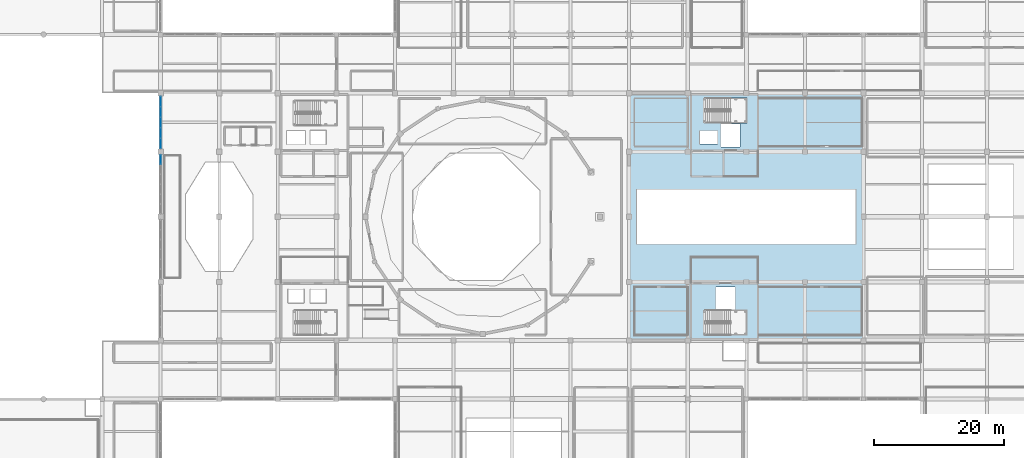
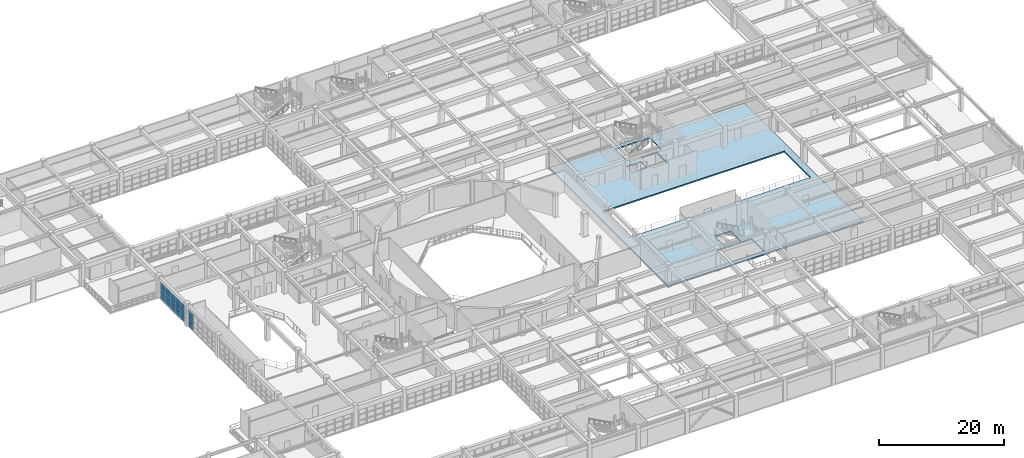
# One storey, part 94 of 133: 18 plates, 1 slab, 2 elements without a shape of their own.
"""IFC4 building model written with IfcOpenShell, lengths in metres."""

from ifc_helpers import new_model, si_unit, direction, frame, origin, origin_2d, place, context, subcontext, project, spatial, polyline, rectangle, outline, extrude, material, layer, layer_set, type_object, element, aggregate, save


model = new_model("IFC4")

# Units and contexts
model_context = context("Model", 3, precision=1e-05, world=origin(), true_north=direction((0.0, 1.0)))
body_context = subcontext(model_context, "Body", "Model", "MODEL_VIEW")
ifc_project = project(units=[si_unit("LENGTHUNIT", "METRE"), si_unit("AREAUNIT", "SQUARE_METRE"), si_unit("VOLUMEUNIT", "CUBIC_METRE"), si_unit("PLANEANGLEUNIT", "RADIAN"), si_unit("MASSUNIT", "GRAM", prefix="KILO")], contexts=[model_context])

# Site, building, storey
site_placement = place(None, origin())
site = spatial("IfcSite", under=ifc_project, at=site_placement, CompositionType="ELEMENT")
building_placement = place(site_placement, origin())
building = spatial("IfcBuilding", under=site, at=building_placement, Name="Miravela Opera House", CompositionType="ELEMENT")
storey_placement = place(building_placement, frame((0.0, 0.0, 5.10009765625)))
storey = spatial("IfcBuildingStorey", under=building, at=storey_placement, Name="L01", CompositionType="ELEMENT", Elevation=5.10009765625)

# Curtain wall, plates
ifc_material_1 = material(Name="Anodised architectural bronze aluminium 6063-T6", Category="aluminium")
curtain_wall_type = type_object("IfcCurtainWallType", Name="ARC-CW-01", PredefinedType="NOTDEFINED", material=ifc_material_1)
curtain_wall_1_placement = place(storey_placement, origin())
curtain_wall_1 = element("IfcCurtainWall", 1, at=curtain_wall_1_placement, inside=storey, type_object=curtain_wall_type, Name="West Foyer Upper Recessed Glazing CW-L01-005", PredefinedType="NOTDEFINED")
ifc_material_2 = material(Name="Acoustic laminated low-E insulating glass", Category="glass")
ifc_layer_1 = layer(ifc_material_2, 0.028076171875)
ifc_layer_set_1 = layer_set([ifc_layer_1])
plate_type = type_object("IfcPlateType", Name="ARC-CWP-28", PredefinedType="CURTAIN_PANEL", material=ifc_layer_set_1)
plate_1_placement = place(storey_placement, frame((27.0, 64.775390625, 0.06494140625), z_axis=(0.0, 0.0, 1.0), x_axis=(0.0, 1.0, 0.0)))
plate_1 = element("IfcPlate", 2, at=plate_1_placement, type_object=plate_type, Name="CW-01 panel 6.1", PredefinedType="CURTAIN_PANEL", context=body_context, shape_type="SweptSolid", body=[
    extrude(rectangle(XDim=1.419189453125, YDim=0.028076171875, at=origin_2d()), origin(), (0.0, 0.0, 1.0), 0.8525390625),
])
plate_2_placement = place(storey_placement, frame((27.0, 64.775390625, 0.982421875), z_axis=(0.0, 0.0, 1.0), x_axis=(0.0, 1.0, 0.0)))
plate_2 = element("IfcPlate", 3, at=plate_2_placement, type_object=plate_type, Name="CW-01 panel 6.2", PredefinedType="CURTAIN_PANEL", context=body_context, shape_type="SweptSolid", body=[
    extrude(rectangle(XDim=1.419189453125, YDim=0.028076171875, at=origin_2d()), origin(), (0.0, 0.0, 1.0), 0.90478515625),
])
plate_3_placement = place(storey_placement, frame((27.0, 64.775390625, 1.9521484375), z_axis=(0.0, 0.0, 1.0), x_axis=(0.0, 1.0, 0.0)))
plate_3 = element("IfcPlate", 4, at=plate_3_placement, type_object=plate_type, Name="CW-01 panel 6.3", PredefinedType="CURTAIN_PANEL", context=body_context, shape_type="SweptSolid", body=[
    extrude(rectangle(XDim=1.419189453125, YDim=0.028076171875, at=origin_2d()), origin(), (0.0, 0.0, 1.0), 1.292724609375),
])
aggregate(curtain_wall_1, [plate_1, plate_2, plate_3])

curtain_wall_2_placement = place(storey_placement, origin())
curtain_wall_2 = element("IfcCurtainWall", 5, at=curtain_wall_2_placement, inside=storey, type_object=curtain_wall_type, Name="West Foyer Upper Recessed Glazing CW-L01-006", PredefinedType="NOTDEFINED")
plate_4_placement = place(storey_placement, frame((27.0, 67.2763671875, 0.06494140625), z_axis=(0.0, 0.0, 1.0), x_axis=(0.0, 1.0, 0.0)))
plate_4 = element("IfcPlate", 6, at=plate_4_placement, type_object=plate_type, Name="CW-01 panel 1.1", PredefinedType="CURTAIN_PANEL", context=body_context, shape_type="SweptSolid", body=[
    extrude(rectangle(XDim=1.5224609375, YDim=0.028076171875, at=origin_2d()), origin(), (0.0, 0.0, 1.0), 0.8525390625),
])
plate_5_placement = place(storey_placement, frame((27.0, 67.2763671875, 0.982421875), z_axis=(0.0, 0.0, 1.0), x_axis=(0.0, 1.0, 0.0)))
plate_5 = element("IfcPlate", 7, at=plate_5_placement, type_object=plate_type, Name="CW-01 panel 1.2", PredefinedType="CURTAIN_PANEL", context=body_context, shape_type="SweptSolid", body=[
    extrude(rectangle(XDim=1.5224609375, YDim=0.028076171875, at=origin_2d()), origin(), (0.0, 0.0, 1.0), 0.90478515625),
])
plate_6_placement = place(storey_placement, frame((27.0, 67.2763671875, 1.9521484375), z_axis=(0.0, 0.0, 1.0), x_axis=(0.0, 1.0, 0.0)))
plate_6 = element("IfcPlate", 8, at=plate_6_placement, type_object=plate_type, Name="CW-01 panel 1.3", PredefinedType="CURTAIN_PANEL", context=body_context, shape_type="SweptSolid", body=[
    extrude(rectangle(XDim=1.5224609375, YDim=0.028076171875, at=origin_2d()), origin(), (0.0, 0.0, 1.0), 1.292724609375),
])
plate_7_placement = place(storey_placement, frame((27.0, 68.8798828125, 0.06494140625), z_axis=(0.0, 0.0, 1.0), x_axis=(0.0, 1.0, 0.0)))
plate_7 = element("IfcPlate", 9, at=plate_7_placement, type_object=plate_type, Name="CW-01 panel 2.1", PredefinedType="CURTAIN_PANEL", context=body_context, shape_type="SweptSolid", body=[
    extrude(rectangle(XDim=1.554931640625, YDim=0.028076171875, at=origin_2d()), origin(), (0.0, 0.0, 1.0), 0.8525390625),
])
plate_8_placement = place(storey_placement, frame((27.0, 68.8798828125, 0.982421875), z_axis=(0.0, 0.0, 1.0), x_axis=(0.0, 1.0, 0.0)))
plate_8 = element("IfcPlate", 10, at=plate_8_placement, type_object=plate_type, Name="CW-01 panel 2.2", PredefinedType="CURTAIN_PANEL", context=body_context, shape_type="SweptSolid", body=[
    extrude(rectangle(XDim=1.554931640625, YDim=0.028076171875, at=origin_2d()), origin(), (0.0, 0.0, 1.0), 0.90478515625),
])
plate_9_placement = place(storey_placement, frame((27.0, 68.8798828125, 1.9521484375), z_axis=(0.0, 0.0, 1.0), x_axis=(0.0, 1.0, 0.0)))
plate_9 = element("IfcPlate", 11, at=plate_9_placement, type_object=plate_type, Name="CW-01 panel 2.3", PredefinedType="CURTAIN_PANEL", context=body_context, shape_type="SweptSolid", body=[
    extrude(rectangle(XDim=1.554931640625, YDim=0.028076171875, at=origin_2d()), origin(), (0.0, 0.0, 1.0), 1.292724609375),
])
plate_10_placement = place(storey_placement, frame((27.0, 70.5, 0.06494140625), z_axis=(0.0, 0.0, 1.0), x_axis=(0.0, 1.0, 0.0)))
plate_10 = element("IfcPlate", 12, at=plate_10_placement, type_object=plate_type, Name="CW-01 panel 3.1", PredefinedType="CURTAIN_PANEL", context=body_context, shape_type="SweptSolid", body=[
    extrude(rectangle(XDim=1.554931640625, YDim=0.028076171875, at=origin_2d()), origin(), (0.0, 0.0, 1.0), 0.8525390625),
])
plate_11_placement = place(storey_placement, frame((27.0, 70.5, 0.982421875), z_axis=(0.0, 0.0, 1.0), x_axis=(0.0, 1.0, 0.0)))
plate_11 = element("IfcPlate", 13, at=plate_11_placement, type_object=plate_type, Name="CW-01 panel 3.2", PredefinedType="CURTAIN_PANEL", context=body_context, shape_type="SweptSolid", body=[
    extrude(rectangle(XDim=1.554931640625, YDim=0.028076171875, at=origin_2d()), origin(), (0.0, 0.0, 1.0), 0.90478515625),
])
plate_12_placement = place(storey_placement, frame((27.0, 70.5, 1.9521484375), z_axis=(0.0, 0.0, 1.0), x_axis=(0.0, 1.0, 0.0)))
plate_12 = element("IfcPlate", 14, at=plate_12_placement, type_object=plate_type, Name="CW-01 panel 3.3", PredefinedType="CURTAIN_PANEL", context=body_context, shape_type="SweptSolid", body=[
    extrude(rectangle(XDim=1.554931640625, YDim=0.028076171875, at=origin_2d()), origin(), (0.0, 0.0, 1.0), 1.292724609375),
])
plate_13_placement = place(storey_placement, frame((27.0, 72.1201171875, 0.06494140625), z_axis=(0.0, 0.0, 1.0), x_axis=(0.0, 1.0, 0.0)))
plate_13 = element("IfcPlate", 15, at=plate_13_placement, type_object=plate_type, Name="CW-01 panel 4.1", PredefinedType="CURTAIN_PANEL", context=body_context, shape_type="SweptSolid", body=[
    extrude(rectangle(XDim=1.554931640625, YDim=0.028076171875, at=origin_2d()), origin(), (0.0, 0.0, 1.0), 0.8525390625),
])
plate_14_placement = place(storey_placement, frame((27.0, 72.1201171875, 0.982421875), z_axis=(0.0, 0.0, 1.0), x_axis=(0.0, 1.0, 0.0)))
plate_14 = element("IfcPlate", 16, at=plate_14_placement, type_object=plate_type, Name="CW-01 panel 4.2", PredefinedType="CURTAIN_PANEL", context=body_context, shape_type="SweptSolid", body=[
    extrude(rectangle(XDim=1.554931640625, YDim=0.028076171875, at=origin_2d()), origin(), (0.0, 0.0, 1.0), 0.90478515625),
])
plate_15_placement = place(storey_placement, frame((27.0, 72.1201171875, 1.9521484375), z_axis=(0.0, 0.0, 1.0), x_axis=(0.0, 1.0, 0.0)))
plate_15 = element("IfcPlate", 17, at=plate_15_placement, type_object=plate_type, Name="CW-01 panel 4.3", PredefinedType="CURTAIN_PANEL", context=body_context, shape_type="SweptSolid", body=[
    extrude(rectangle(XDim=1.554931640625, YDim=0.028076171875, at=origin_2d()), origin(), (0.0, 0.0, 1.0), 1.292724609375),
])
plate_16_placement = place(storey_placement, frame((27.0, 73.7236328125, 0.06494140625), z_axis=(0.0, 0.0, 1.0), x_axis=(0.0, 1.0, 0.0)))
plate_16 = element("IfcPlate", 18, at=plate_16_placement, type_object=plate_type, Name="CW-01 panel 5.1", PredefinedType="CURTAIN_PANEL", context=body_context, shape_type="SweptSolid", body=[
    extrude(rectangle(XDim=1.5224609375, YDim=0.028076171875, at=origin_2d()), origin(), (0.0, 0.0, 1.0), 0.8525390625),
])
plate_17_placement = place(storey_placement, frame((27.0, 73.7236328125, 0.982421875), z_axis=(0.0, 0.0, 1.0), x_axis=(0.0, 1.0, 0.0)))
plate_17 = element("IfcPlate", 19, at=plate_17_placement, type_object=plate_type, Name="CW-01 panel 5.2", PredefinedType="CURTAIN_PANEL", context=body_context, shape_type="SweptSolid", body=[
    extrude(rectangle(XDim=1.5224609375, YDim=0.028076171875, at=origin_2d()), origin(), (0.0, 0.0, 1.0), 0.90478515625),
])
plate_18_placement = place(storey_placement, frame((27.0, 73.7236328125, 1.9521484375), z_axis=(0.0, 0.0, 1.0), x_axis=(0.0, 1.0, 0.0)))
plate_18 = element("IfcPlate", 20, at=plate_18_placement, type_object=plate_type, Name="CW-01 panel 5.3", PredefinedType="CURTAIN_PANEL", context=body_context, shape_type="SweptSolid", body=[
    extrude(rectangle(XDim=1.5224609375, YDim=0.028076171875, at=origin_2d()), origin(), (0.0, 0.0, 1.0), 1.292724609375),
])
aggregate(curtain_wall_2, [plate_4, plate_5, plate_6, plate_7, plate_8, plate_9, plate_10, plate_11, plate_12, plate_13, plate_14, plate_15, plate_16, plate_17, plate_18])

# Slab
ifc_material_3 = material(Name="Concrete C35/45", Category="concrete")
ifc_layer_2 = layer(ifc_material_3, 0.25)
ifc_layer_set_2 = layer_set([ifc_layer_2])
slab_type = type_object("IfcSlabType", Name="STR-SLAB-FLR-250", PredefinedType="FLOOR", material=ifc_layer_set_2)
slab_placement = place(storey_placement, frame((0.0, 0.0, -0.25)))
element("IfcSlab", 21, at=slab_placement, inside=storey, type_object=slab_type, Name="Level L01 Floor Slab SLAB-L01-V2M", PredefinedType="FLOOR", context=body_context, shape_type="SweptSolid", body=[
    extrude(outline(polyline([(99.0, 37.0), (135.0, 37.0), (135.0, 75.0), (99.0, 75.0), (99.0, 37.0)]), holes=[polyline([(110.739990234375, 70.39990234375), (117.10009765625, 70.39990234375), (117.10009765625, 74.280029296875), (110.739990234375, 74.280029296875), (110.739990234375, 70.39990234375)]), polyline([(110.739990234375, 37.800048828125), (117.10009765625, 37.800048828125), (117.10009765625, 41.679931640625), (110.739990234375, 41.679931640625), (110.739990234375, 37.800048828125)]), polyline([(109.85009765625, 67.22509765625), (112.550048828125, 67.22509765625), (112.550048828125, 69.175048828125), (109.85009765625, 69.175048828125), (109.85009765625, 67.22509765625)]), polyline([(113.14990234375, 66.75), (116.050048828125, 66.75), (116.050048828125, 70.25), (113.14990234375, 70.25), (113.14990234375, 66.75)]), polyline([(112.35009765625, 41.75), (115.25, 41.75), (115.25, 45.25), (112.35009765625, 45.25), (112.35009765625, 41.75)]), polyline([(100.199951171875, 51.800048828125), (133.800048828125, 51.800048828125), (133.800048828125, 60.199951171875), (100.199951171875, 60.199951171875), (100.199951171875, 51.800048828125)])]), origin(), (0.0, 0.0, 1.0), 0.25),
])

save(model, "model.ifc")
